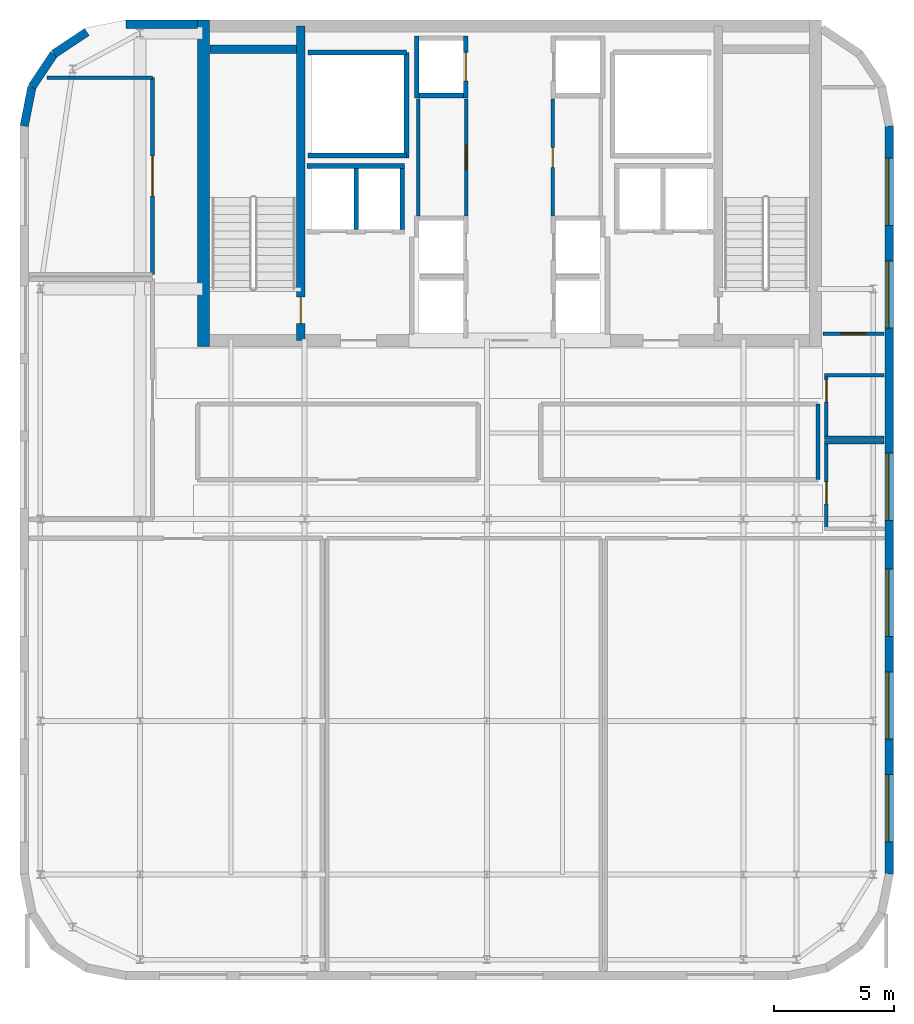
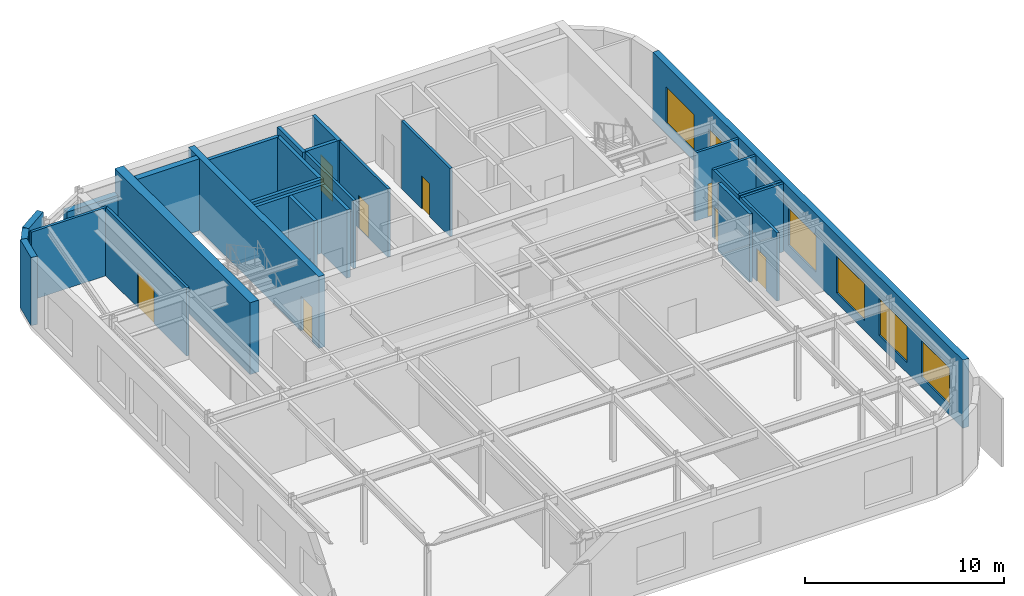
# One storey, part 8 of 10: 29 walls, 8 doors, 6 windows, 14 openings.
"""IFC4 building model written with IfcOpenShell, lengths in metres."""

from ifc_helpers import new_model, si_unit, direction, frame, frame_2d, origin, place, context, subcontext, project, spatial, rectangle, extrude, source, transform, mapped, material, layer, layer_set, type_object, type_shapes, element, fill, save


model = new_model("IFC4")

# Units and contexts
model_context = context("Model", 3, precision=1e-05, world=origin(), true_north=direction((0.0, 1.0)))
body_context = subcontext(model_context, "Body", "Model", "MODEL_VIEW")
ifc_project = project(units=[si_unit("LENGTHUNIT", "METRE"), si_unit("AREAUNIT", "SQUARE_METRE"), si_unit("VOLUMEUNIT", "CUBIC_METRE"), si_unit("PLANEANGLEUNIT", "RADIAN"), si_unit("MASSUNIT", "GRAM", prefix="KILO")], contexts=[model_context])

# Site, building, storey
site_placement = place(None, origin())
site = spatial("IfcSite", under=ifc_project, at=site_placement, CompositionType="ELEMENT")
building_placement = place(site_placement, origin())
building = spatial("IfcBuilding", under=site, at=building_placement, Name="Tolvann Quenvar Hotel", CompositionType="ELEMENT")
storey_placement = place(building_placement, frame((0.0, 0.0, 282.14990234375)))
storey = spatial("IfcBuildingStorey", under=building, at=storey_placement, Name="L75", CompositionType="ELEMENT", Elevation=282.14990234375)

# Wall
ifc_material_1 = material(Name="Concrete N50 (50 MPa)", Category="concrete")
ifc_layer_1 = layer(ifc_material_1, 0.5)
ifc_layer_set_1 = layer_set([ifc_layer_1], Name="Concrete N50 (50 MPa)")
wall_type_1 = type_object("IfcWallType", Name="WALL_CORE_500", PredefinedType="SHEAR", material=ifc_layer_set_1)
wall_1_placement = place(storey_placement, frame((10.25, 31.60009765625, 0.0), z_axis=(0.0, 0.0, 1.0), x_axis=(0.0, 1.0, 0.0)))
element("IfcWall", 1, at=wall_1_placement, inside=storey, type_object=wall_type_1, Name="Rear Core W Shear Wall (L75)", PredefinedType="SHEAR", context=body_context, shape_type="SweptSolid", body=[
    extrude(rectangle(XDim=13.599853515625, YDim=0.5, at=frame_2d((6.7998046875, 0.0))), origin(), (0.0, 0.0, 1.0), 4.400146484375),
])

# Wall, opening, door
ifc_material_2 = material(Name="Concrete S65 (65 MPa)", Category="concrete")
ifc_layer_2 = layer(ifc_material_2, 0.35009765625)
ifc_layer_set_2 = layer_set([ifc_layer_2], Name="Concrete S65 (65 MPa)")
wall_type_2 = type_object("IfcWallType", Name="WALL_CORE_INT_350", PredefinedType="SHEAR", material=ifc_layer_set_2)
wall_2_placement = place(storey_placement, frame((14.300048828125, 31.85009765625, 0.0), z_axis=(0.0, 0.0, 1.0), x_axis=(0.0, 1.0, 0.0)))
wall_2 = element("IfcWall", 2, at=wall_2_placement, inside=storey, type_object=wall_type_2, Name="Core Internal Web Shear Wall WEB-W (L75)", PredefinedType="SHEAR", context=body_context, shape_type="SweptSolid", body=[
    extrude(rectangle(XDim=13.099853515625, YDim=0.35009765625, at=frame_2d((6.5498046875, 0.0))), origin(), (0.0, 0.0, 1.0), 4.400146484375),
])
opening_1_placement = place(wall_2_placement, frame((0.699951171875, 0.0, 0.0)))
opening_1 = element("IfcOpeningElement", 3, at=opening_1_placement, cuts=wall_2, Name="Opening FD-120", PredefinedType="OPENING", context=body_context, shape_type="SweptSolid", body=[
    extrude(rectangle(XDim=1.10009765625, YDim=2.1201171875, at=frame_2d((0.550048828125, 1.06005859375))), frame((0.0, 0.18505859375, 0.0), z_axis=(0.0, -1.0, 0.0), x_axis=(1.0, 0.0, 0.0)), (0.0, 0.0, 1.0), 0.3701171875),
])
ifc_material_3 = material(Name="Pressed galvanised steel fire-rated door set", Category="steel")
door_type_1 = type_object("IfcDoorType", Name="DOOR_FIRE_STAIR_1100", OperationType="NOTDEFINED", PredefinedType="DOOR", material=ifc_material_3)
shared_shape_1 = source(origin(), body_context, "Body", "SweptSolid", [
    extrude(rectangle(XDim=1.10009765625, YDim=2.1201171875, at=frame_2d((0.550048828125, 1.06005859375))), frame((0.0, 0.02490234375, 0.0), z_axis=(0.0, -1.0, 0.0), x_axis=(1.0, 0.0, 0.0)), (0.0, 0.0, 1.0), 0.050048828125),
])
type_shapes(door_type_1, [shared_shape_1])
door_1_placement = place(opening_1_placement, origin())
door_1 = element("IfcDoor", 4, at=door_1_placement, inside=storey, type_object=door_type_1, Name="Exit Stair ST-C1 Fire Door (L75)", OperationType="SINGLE_SWING_LEFT", OverallHeight=2.1201171875, OverallWidth=1.10009765625, PredefinedType="DOOR", context=body_context, shape_type="MappedRepresentation", body=[
    mapped(shared_shape_1, transform((0.0, 0.0, 0.0), x_axis=(1.0, 0.0, 0.0), y_axis=(0.0, 1.0, 0.0), z_axis=(0.0, 0.0, 1.0), scale=1.0)),
])
fill(opening_1, door_1)

# Wall
wall_3_placement = place(storey_placement, frame((10.52001953125, 43.97509765625, 0.0), z_axis=(0.0, 0.0, 1.0), x_axis=(1.0, 0.0, 0.0)))
element("IfcWall", 5, at=wall_3_placement, inside=storey, type_object=wall_type_2, Name="Core Stair North Closing Shear Wall STC1-N (L75)", PredefinedType="SHEAR", context=body_context, shape_type="SweptSolid", body=[
    extrude(rectangle(XDim=3.60009765625, YDim=0.35009765625, at=frame_2d((1.800048828125, 0.0))), origin(), (0.0, 0.0, 1.0), 4.400146484375),
])

# Wall, openings, windows
ifc_material_4 = material(Name="Kiln-fired red and buff architectural clay brickwork and terracotta masonry", Category="masonry")
ifc_layer_3 = layer(ifc_material_4, 0.35009765625)
ifc_layer_set_3 = layer_set([ifc_layer_3], Name="Kiln-fired red and buff architectural clay brickwork and terracotta masonry")
wall_type_3 = type_object("IfcWallType", Name="WALL_EXT_BRICK_350", PredefinedType="SOLIDWALL", material=ifc_layer_set_3)
wall_4_placement = place(storey_placement, frame((38.824951171875, 9.6171875, 0.0), z_axis=(0.0, 0.0, 1.0), x_axis=(0.0, 1.0, 0.0)))
wall_4 = element("IfcWall", 6, at=wall_4_placement, inside=storey, type_object=wall_type_3, Name="Exterior Chicago Brick Wall L75-E09", PredefinedType="SOLIDWALL", context=body_context, shape_type="SweptSolid", body=[
    extrude(rectangle(XDim=31.16552734375, YDim=0.35009765625, at=frame_2d((15.582763671875, 0.0))), origin(), (0.0, 0.0, 1.0), 4.18017578125),
])
opening_2_placement = place(wall_4_placement, frame((1.340087890625, 0.0, 0.6201171875)))
opening_2 = element("IfcOpeningElement", 7, at=opening_2_placement, cuts=wall_4, Name="Opening W-07", PredefinedType="OPENING", context=body_context, shape_type="SweptSolid", body=[
    extrude(rectangle(XDim=2.800048828125, YDim=2.25, at=frame_2d((1.39990234375, 1.125))), frame((0.0, 0.18505859375, 0.0), z_axis=(0.0, -1.0, 0.0), x_axis=(1.0, 0.0, 0.0)), (0.0, 0.0, 1.0), 0.3701171875),
])
opening_3_placement = place(wall_4_placement, frame((5.62109375, 0.0, 0.6201171875)))
opening_3 = element("IfcOpeningElement", 8, at=opening_3_placement, cuts=wall_4, Name="Opening W-07", PredefinedType="OPENING", context=body_context, shape_type="SweptSolid", body=[
    extrude(rectangle(XDim=2.800048828125, YDim=2.25, at=frame_2d((1.39990234375, 1.125))), frame((0.0, 0.18505859375, 0.0), z_axis=(0.0, -1.0, 0.0), x_axis=(1.0, 0.0, 0.0)), (0.0, 0.0, 1.0), 0.3701171875),
])
opening_4_placement = place(wall_4_placement, frame((9.902099609375, 0.0, 0.6201171875)))
opening_4 = element("IfcOpeningElement", 9, at=opening_4_placement, cuts=wall_4, Name="Opening W-07", PredefinedType="OPENING", context=body_context, shape_type="SweptSolid", body=[
    extrude(rectangle(XDim=2.800048828125, YDim=2.25, at=frame_2d((1.39990234375, 1.125))), frame((0.0, 0.18505859375, 0.0), z_axis=(0.0, -1.0, 0.0), x_axis=(1.0, 0.0, 0.0)), (0.0, 0.0, 1.0), 0.3701171875),
])
opening_5_placement = place(wall_4_placement, frame((14.73291015625, 0.0, 0.6201171875)))
opening_5 = element("IfcOpeningElement", 10, at=opening_5_placement, cuts=wall_4, Name="Opening W-07", PredefinedType="OPENING", context=body_context, shape_type="SweptSolid", body=[
    extrude(rectangle(XDim=2.800048828125, YDim=2.25, at=frame_2d((1.39990234375, 1.125))), frame((0.0, 0.18505859375, 0.0), z_axis=(0.0, -1.0, 0.0), x_axis=(1.0, 0.0, 0.0)), (0.0, 0.0, 1.0), 0.3701171875),
])
opening_6_placement = place(wall_4_placement, frame((22.743896484375, 0.0, 0.6201171875)))
opening_6 = element("IfcOpeningElement", 11, at=opening_6_placement, cuts=wall_4, Name="Opening W-07", PredefinedType="OPENING", context=body_context, shape_type="SweptSolid", body=[
    extrude(rectangle(XDim=2.800048828125, YDim=2.25, at=frame_2d((1.39990234375, 1.125))), frame((0.0, 0.18505859375, 0.0), z_axis=(0.0, -1.0, 0.0), x_axis=(1.0, 0.0, 0.0)), (0.0, 0.0, 1.0), 0.3701171875),
])
opening_7_placement = place(wall_4_placement, frame((27.02490234375, 0.0, 0.6201171875)))
opening_7 = element("IfcOpeningElement", 12, at=opening_7_placement, cuts=wall_4, Name="Opening W-07", PredefinedType="OPENING", context=body_context, shape_type="SweptSolid", body=[
    extrude(rectangle(XDim=2.800048828125, YDim=2.25, at=frame_2d((1.39990234375, 1.125))), frame((0.0, 0.18505859375, 0.0), z_axis=(0.0, -1.0, 0.0), x_axis=(1.0, 0.0, 0.0)), (0.0, 0.0, 1.0), 0.3701171875),
])
ifc_material_5 = material(Name="Thermally broken bronze-anodised aluminium frame with double low-E glazing", Category="aluminium")
window_type = type_object("IfcWindowType", Name="WIN_OBS_2800x2350", PartitioningType="TRIPLE_PANEL_HORIZONTAL", PredefinedType="WINDOW", material=ifc_material_5)
shared_shape_2 = source(origin(), body_context, "Body", "SweptSolid", [
    extrude(rectangle(XDim=2.800048828125, YDim=2.25, at=frame_2d((1.39990234375, 1.125))), frame((0.0, 0.090087890625, 0.0), z_axis=(0.0, -1.0, 0.0), x_axis=(1.0, 0.0, 0.0)), (0.0, 0.0, 1.0), 0.06005859375),
])
type_shapes(window_type, [shared_shape_2])
window_1_placement = place(opening_2_placement, origin())
window_1 = element("IfcWindow", 13, at=window_1_placement, inside=storey, type_object=window_type, Name="Chicago Window W-07 (EW-L75-E09-W01)", OverallHeight=2.25, OverallWidth=2.800048828125, PartitioningType="TRIPLE_PANEL_HORIZONTAL", PredefinedType="WINDOW", context=body_context, shape_type="MappedRepresentation", body=[
    mapped(shared_shape_2, transform((0.0, 0.0, 0.0), x_axis=(1.0, 0.0, 0.0), y_axis=(0.0, 1.0, 0.0), z_axis=(0.0, 0.0, 1.0), scale=1.0)),
])
fill(opening_2, window_1)
window_2_placement = place(opening_3_placement, origin())
window_2 = element("IfcWindow", 14, at=window_2_placement, inside=storey, type_object=window_type, Name="Chicago Window W-07 (EW-L75-E09-W02)", OverallHeight=2.25, OverallWidth=2.800048828125, PartitioningType="TRIPLE_PANEL_HORIZONTAL", PredefinedType="WINDOW", context=body_context, shape_type="MappedRepresentation", body=[
    mapped(shared_shape_2, transform((0.0, 0.0, 0.0), x_axis=(1.0, 0.0, 0.0), y_axis=(0.0, 1.0, 0.0), z_axis=(0.0, 0.0, 1.0), scale=1.0)),
])
fill(opening_3, window_2)
window_3_placement = place(opening_4_placement, origin())
window_3 = element("IfcWindow", 15, at=window_3_placement, inside=storey, type_object=window_type, Name="Chicago Window W-07 (EW-L75-E09-W03)", OverallHeight=2.25, OverallWidth=2.800048828125, PartitioningType="TRIPLE_PANEL_HORIZONTAL", PredefinedType="WINDOW", context=body_context, shape_type="MappedRepresentation", body=[
    mapped(shared_shape_2, transform((0.0, 0.0, 0.0), x_axis=(1.0, 0.0, 0.0), y_axis=(0.0, 1.0, 0.0), z_axis=(0.0, 0.0, 1.0), scale=1.0)),
])
fill(opening_4, window_3)
window_4_placement = place(opening_5_placement, origin())
window_4 = element("IfcWindow", 16, at=window_4_placement, inside=storey, type_object=window_type, Name="Chicago Window W-07 (EW-L75-E09-W04)", OverallHeight=2.25, OverallWidth=2.800048828125, PartitioningType="TRIPLE_PANEL_HORIZONTAL", PredefinedType="WINDOW", context=body_context, shape_type="MappedRepresentation", body=[
    mapped(shared_shape_2, transform((0.0, 0.0, 0.0), x_axis=(1.0, 0.0, 0.0), y_axis=(0.0, 1.0, 0.0), z_axis=(0.0, 0.0, 1.0), scale=1.0)),
])
fill(opening_5, window_4)
window_5_placement = place(opening_6_placement, origin())
window_5 = element("IfcWindow", 17, at=window_5_placement, inside=storey, type_object=window_type, Name="Chicago Window W-07 (EW-L75-E09-W05)", OverallHeight=2.25, OverallWidth=2.800048828125, PartitioningType="TRIPLE_PANEL_HORIZONTAL", PredefinedType="WINDOW", context=body_context, shape_type="MappedRepresentation", body=[
    mapped(shared_shape_2, transform((0.0, 0.0, 0.0), x_axis=(1.0, 0.0, 0.0), y_axis=(0.0, 1.0, 0.0), z_axis=(0.0, 0.0, 1.0), scale=1.0)),
])
fill(opening_6, window_5)
window_6_placement = place(opening_7_placement, origin())
window_6 = element("IfcWindow", 18, at=window_6_placement, inside=storey, type_object=window_type, Name="Chicago Window W-07 (EW-L75-E09-W06)", OverallHeight=2.25, OverallWidth=2.800048828125, PartitioningType="TRIPLE_PANEL_HORIZONTAL", PredefinedType="WINDOW", context=body_context, shape_type="MappedRepresentation", body=[
    mapped(shared_shape_2, transform((0.0, 0.0, 0.0), x_axis=(1.0, 0.0, 0.0), y_axis=(0.0, 1.0, 0.0), z_axis=(0.0, 0.0, 1.0), scale=1.0)),
])
fill(opening_7, window_6)

# Walls
wall_5_placement = place(storey_placement, frame((9.99609375, 45.02490234375, 0.0), z_axis=(0.0, 0.0, 1.0), x_axis=(-1.0, 0.0, 0.0)))
element("IfcWall", 19, at=wall_5_placement, inside=storey, type_object=wall_type_3, Name="Exterior Chicago Brick Wall L75-E14NW", PredefinedType="SOLIDWALL", context=body_context, shape_type="SweptSolid", body=[
    extrude(rectangle(XDim=2.97900390625, YDim=0.35009765625, at=frame_2d((1.489501953125, 0.0))), origin(), (0.0, 0.0, 1.0), 2.97021484375),
])
for number, where, z_axis, x_axis, name in (
    (20, (5.384521484375, 44.7001953125, 0.0), (0.0, 0.0, 1.0), (-0.831502623162, -0.555520825599, 0.0), "Exterior Chicago Brick Wall L75-E16"),
    (21, (4.014892578125, 43.78515625, 0.0), (0.0, 0.0, 1.0), (-0.555623290322, -0.831434158098, 0.0), "Exterior Chicago Brick Wall L75-E17"),
):
    element("IfcWall", number, at=place(storey_placement, frame(where, z_axis=z_axis, x_axis=x_axis)), inside=storey, type_object=wall_type_3, Name=name, PredefinedType="SOLIDWALL", context=body_context, shape_type="SweptSolid", body=[
        extrude(rectangle(XDim=1.647216796875, YDim=0.35009765625, at=frame_2d((0.82373046875, 0.0))), origin(), (0.0, 0.0, 1.0), 3.710205078125),
    ])
wall_6_placement = place(storey_placement, frame((3.099609375, 42.41552734375, 0.0), z_axis=(0.0, 0.0, 1.0), x_axis=(-0.195044345786, -0.980794424524, 0.0)))
element("IfcWall", 22, at=wall_6_placement, inside=storey, type_object=wall_type_3, Name="Exterior Chicago Brick Wall L75-E18", PredefinedType="SOLIDWALL", context=body_context, shape_type="SweptSolid", body=[
    extrude(rectangle(XDim=1.664794921875, YDim=0.35009765625, at=frame_2d((0.83251953125, 0.0))), origin(), (0.0, 0.0, 1.0), 4.18017578125),
])
ifc_material_6 = material(Name="Acoustic twin-stud fire-rated gypsum plasterboard partition")
ifc_layer_4 = layer(ifc_material_6, 0.179931640625)
ifc_layer_set_4 = layer_set([ifc_layer_4], Name="Acoustic twin-stud fire-rated gypsum plasterboard partition")
wall_type_4 = type_object("IfcWallType", Name="WALL_PART_ACOUSTIC_180", PredefinedType="PARTITIONING", material=ifc_layer_set_4)
wall_7_placement = place(storey_placement, frame((35.85009765625, 26.050048828125, 0.0), z_axis=(0.0, 0.0, 1.0), x_axis=(0.0, 1.0, 0.0)))
element("IfcWall", 23, at=wall_7_placement, inside=storey, type_object=wall_type_4, Name="Interior Partition PT-SPC-L75-SKY2-E", PredefinedType="PARTITIONING", context=body_context, shape_type="SweptSolid", body=[
    extrude(rectangle(XDim=3.14990234375, YDim=0.179931640625, at=frame_2d((1.574951171875, 0.0))), origin(), (0.0, 0.0, 1.0), 4.18017578125),
])
ifc_layer_5 = layer(ifc_material_6, 0.14990234375)
ifc_layer_set_5 = layer_set([ifc_layer_5], Name="Acoustic twin-stud fire-rated gypsum plasterboard partition")
wall_type_5 = type_object("IfcWallType", Name="WALL_PART_SUITE_150", PredefinedType="PARTITIONING", material=ifc_layer_set_5)
wall_8_placement = place(storey_placement, frame((19.199951171875, 37.0400390625, 0.0), z_axis=(0.0, 0.0, 1.0), x_axis=(0.0, 1.0, 0.0)))
element("IfcWall", 24, at=wall_8_placement, inside=storey, type_object=wall_type_5, Name="Interior Partition PT-SPC-L75-RECPM-W-W", PredefinedType="PARTITIONING", context=body_context, shape_type="SweptSolid", body=[
    extrude(rectangle(XDim=4.85986328125, YDim=0.14990234375, at=frame_2d((2.429931640625, 0.0))), origin(), (0.0, 0.0, 1.0), 4.18017578125),
])

# Wall, opening, door
wall_9_placement = place(storey_placement, frame((21.199951171875, 37.0400390625, 0.0), z_axis=(0.0, 0.0, 1.0), x_axis=(0.0, 1.0, 0.0)))
wall_9 = element("IfcWall", 25, at=wall_9_placement, inside=storey, type_object=wall_type_5, Name="Interior Partition PT-SPC-L75-RECPM-W-E", PredefinedType="PARTITIONING", context=body_context, shape_type="SweptSolid", body=[
    extrude(rectangle(XDim=4.85986328125, YDim=0.14990234375, at=frame_2d((2.429931640625, 0.0))), origin(), (0.0, 0.0, 1.0), 4.18017578125),
])
opening_8_placement = place(wall_9_placement, frame((1.919921875, 0.0, 0.0)))
opening_8 = element("IfcOpeningElement", 26, at=opening_8_placement, cuts=wall_9, Name="Opening HD-01", PredefinedType="OPENING", context=body_context, shape_type="SweptSolid", body=[
    extrude(rectangle(XDim=1.02001953125, YDim=2.030029296875, at=frame_2d((0.510009765625, 1.01513671875))), frame((0.0, 0.0849609375, 0.0), z_axis=(0.0, -1.0, 0.0), x_axis=(1.0, 0.0, 0.0)), (0.0, 0.0, 1.0), 0.169921875),
])
door_type_2 = type_object("IfcDoorType", Name="DOOR_BOH_1020", OperationType="NOTDEFINED", PredefinedType="DOOR", material=ifc_material_3)
shared_shape_3 = source(origin(), body_context, "Body", "SweptSolid", [
    extrude(rectangle(XDim=1.02001953125, YDim=2.030029296875, at=frame_2d((0.510009765625, 1.01513671875))), frame((0.0, 0.02490234375, 0.0), z_axis=(0.0, -1.0, 0.0), x_axis=(1.0, 0.0, 0.0)), (0.0, 0.0, 1.0), 0.050048828125),
])
type_shapes(door_type_2, [shared_shape_3])
door_2_placement = place(opening_8_placement, origin())
door_2 = element("IfcDoor", 27, at=door_2_placement, inside=storey, type_object=door_type_2, Name="Interior Door DOOR-SPC-L75-RECPM-W", OperationType="SINGLE_SWING_LEFT", OverallHeight=2.030029296875, OverallWidth=1.02001953125, PredefinedType="DOOR", context=body_context, shape_type="MappedRepresentation", body=[
    mapped(shared_shape_3, transform((0.0, 0.0, 0.0), x_axis=(1.0, 0.0, 0.0), y_axis=(0.0, 1.0, 0.0), z_axis=(0.0, 0.0, 1.0), scale=1.0)),
])
fill(opening_8, door_2)

wall_10_placement = place(storey_placement, frame((24.800048828125, 37.0400390625, 0.0), z_axis=(0.0, 0.0, 1.0), x_axis=(0.0, 1.0, 0.0)))
wall_10 = element("IfcWall", 28, at=wall_10_placement, inside=storey, type_object=wall_type_5, Name="Interior Partition PT-SPC-L75-RECPM-E-W", PredefinedType="PARTITIONING", context=body_context, shape_type="SweptSolid", body=[
    extrude(rectangle(XDim=4.85986328125, YDim=0.14990234375, at=frame_2d((2.429931640625, 0.0))), origin(), (0.0, 0.0, 1.0), 4.18017578125),
])
opening_9_placement = place(wall_10_placement, frame((2.02001953125, 0.0, 0.0)))
opening_9 = element("IfcOpeningElement", 29, at=opening_9_placement, cuts=wall_10, Name="Opening HD-02", PredefinedType="OPENING", context=body_context, shape_type="SweptSolid", body=[
    extrude(rectangle(XDim=0.820068359375, YDim=2.010009765625, at=frame_2d((0.41015625, 1.0048828125))), frame((0.0, 0.0849609375, 0.0), z_axis=(0.0, -1.0, 0.0), x_axis=(1.0, 0.0, 0.0)), (0.0, 0.0, 1.0), 0.169921875),
])
door_type_3 = type_object("IfcDoorType", Name="DOOR_STORE_820", OperationType="NOTDEFINED", PredefinedType="DOOR", material=ifc_material_3)
shared_shape_4 = source(origin(), body_context, "Body", "SweptSolid", [
    extrude(rectangle(XDim=0.820068359375, YDim=2.010009765625, at=frame_2d((0.41015625, 1.0048828125))), frame((0.0, 0.02490234375, 0.0), z_axis=(0.0, -1.0, 0.0), x_axis=(1.0, 0.0, 0.0)), (0.0, 0.0, 1.0), 0.050048828125),
])
type_shapes(door_type_3, [shared_shape_4])
door_3_placement = place(opening_9_placement, origin())
door_3 = element("IfcDoor", 30, at=door_3_placement, inside=storey, type_object=door_type_3, Name="Interior Door DOOR-SPC-L75-RECPM-E", OperationType="SINGLE_SWING_RIGHT", OverallHeight=2.010009765625, OverallWidth=0.820068359375, PredefinedType="DOOR", context=body_context, shape_type="MappedRepresentation", body=[
    mapped(shared_shape_4, transform((0.0, 0.0, 0.0), x_axis=(1.0, 0.0, 0.0), y_axis=(0.0, 1.0, 0.0), z_axis=(0.0, 0.0, 1.0), scale=1.0)),
])
fill(opening_9, door_3)

wall_11_placement = place(storey_placement, frame((36.054931640625, 32.1201171875, 0.0), z_axis=(0.0, 0.0, 1.0), x_axis=(1.0, 0.0, 0.0)))
wall_11 = element("IfcWall", 31, at=wall_11_placement, inside=storey, type_object=wall_type_5, Name="Interior Partition PT-SPC-L75-RECPL-S", PredefinedType="PARTITIONING", context=body_context, shape_type="SweptSolid", body=[
    extrude(rectangle(XDim=2.5400390625, YDim=0.14990234375, at=frame_2d((1.27001953125, 0.0))), origin(), (0.0, 0.0, 1.0), 4.18017578125),
])
opening_10_placement = place(wall_11_placement, frame((0.760009765625, 0.0, 0.0)))
opening_10 = element("IfcOpeningElement", 32, at=opening_10_placement, cuts=wall_11, Name="Opening HD-01", PredefinedType="OPENING", context=body_context, shape_type="SweptSolid", body=[
    extrude(rectangle(XDim=1.02001953125, YDim=2.030029296875, at=frame_2d((0.510009765625, 1.01513671875))), frame((0.0, 0.0849609375, 0.0), z_axis=(0.0, -1.0, 0.0), x_axis=(1.0, 0.0, 0.0)), (0.0, 0.0, 1.0), 0.169921875),
])
door_4_placement = place(opening_10_placement, origin())
door_4 = element("IfcDoor", 33, at=door_4_placement, inside=storey, type_object=door_type_2, Name="Interior Door DOOR-SPC-L75-RECPL", OperationType="SINGLE_SWING_LEFT", OverallHeight=2.030029296875, OverallWidth=1.02001953125, PredefinedType="DOOR", context=body_context, shape_type="MappedRepresentation", body=[
    mapped(shared_shape_3, transform((0.0, 0.0, 0.0), x_axis=(1.0, 0.0, 0.0), y_axis=(0.0, 1.0, 0.0), z_axis=(0.0, 0.0, 1.0), scale=1.0)),
])
fill(opening_10, door_4)

# Wall
wall_12_placement = place(storey_placement, frame((3.73193359375, 42.800048828125, 0.0), z_axis=(0.0, 0.0, 1.0), x_axis=(1.0, 0.0, 0.0)))
element("IfcWall", 34, at=wall_12_placement, inside=storey, type_object=wall_type_5, Name="Interior Partition PT-SPC-L75-GIFT-N", PredefinedType="PARTITIONING", context=body_context, shape_type="SweptSolid", body=[
    extrude(rectangle(XDim=4.38818359375, YDim=0.14990234375, at=frame_2d((2.194091796875, 0.0))), origin(), (0.0, 0.0, 1.0), 4.18017578125),
])

# Wall, opening, door
wall_13_placement = place(storey_placement, frame((8.1201171875, 34.60009765625, 0.0), z_axis=(0.0, 0.0, 1.0), x_axis=(0.0, 1.0, 0.0)))
wall_13 = element("IfcWall", 35, at=wall_13_placement, inside=storey, type_object=wall_type_5, Name="Interior Partition PT-SPC-L75-GIFT-E", PredefinedType="PARTITIONING", context=body_context, shape_type="SweptSolid", body=[
    extrude(rectangle(XDim=8.199951171875, YDim=0.14990234375, at=frame_2d((4.10009765625, 0.0))), origin(), (0.0, 0.0, 1.0), 4.18017578125),
])
opening_11_placement = place(wall_13_placement, frame((3.27490234375, 0.0, 0.0)))
opening_11 = element("IfcOpeningElement", 36, at=opening_11_placement, cuts=wall_13, Name="Opening AD-01", PredefinedType="OPENING", context=body_context, shape_type="SweptSolid", body=[
    extrude(rectangle(XDim=1.64990234375, YDim=2.14990234375, at=frame_2d((0.824951171875, 1.074951171875))), frame((0.0, 0.0849609375, 0.0), z_axis=(0.0, -1.0, 0.0), x_axis=(1.0, 0.0, 0.0)), (0.0, 0.0, 1.0), 0.169921875),
])
ifc_material_7 = material(Name="Solid-core American oak acoustic fire door leaf in steel frame", Category="steel")
door_type_4 = type_object("IfcDoorType", Name="DOOR_SALON_1650", OperationType="NOTDEFINED", PredefinedType="DOOR", material=ifc_material_7)
shared_shape_5 = source(origin(), body_context, "Body", "SweptSolid", [
    extrude(rectangle(XDim=1.64990234375, YDim=2.14990234375, at=frame_2d((0.824951171875, 1.074951171875))), frame((0.0, 0.02490234375, 0.0), z_axis=(0.0, -1.0, 0.0), x_axis=(1.0, 0.0, 0.0)), (0.0, 0.0, 1.0), 0.050048828125),
])
type_shapes(door_type_4, [shared_shape_5])
door_5_placement = place(opening_11_placement, origin())
door_5 = element("IfcDoor", 37, at=door_5_placement, inside=storey, type_object=door_type_4, Name="Interior Door DOOR-SPC-L75-GIFT", OperationType="DOUBLE_DOOR_SINGLE_SWING", OverallHeight=2.14990234375, OverallWidth=1.64990234375, PredefinedType="DOOR", context=body_context, shape_type="MappedRepresentation", body=[
    mapped(shared_shape_5, transform((0.0, 0.0, 0.0), x_axis=(1.0, 0.0, 0.0), y_axis=(0.0, 1.0, 0.0), z_axis=(0.0, 0.0, 1.0), scale=1.0)),
])
fill(opening_11, door_5)

# Wall
wall_14_placement = place(storey_placement, frame((36.1298828125, 27.60009765625, 0.0), z_axis=(0.0, 0.0, 1.0), x_axis=(1.0, 0.0, 0.0)))
element("IfcWall", 38, at=wall_14_placement, inside=storey, type_object=wall_type_5, Name="Interior Partition PT-SPC-L75-WC1-N", PredefinedType="PARTITIONING", context=body_context, shape_type="SweptSolid", body=[
    extrude(rectangle(XDim=2.465087890625, YDim=0.14990234375, at=frame_2d((1.232421875, 0.0))), origin(), (0.0, 0.0, 1.0), 4.18017578125),
])

# Wall, opening, door
wall_15_placement = place(storey_placement, frame((36.199951171875, 23.929931640625, 0.0), z_axis=(0.0, 0.0, 1.0), x_axis=(0.0, 1.0, 0.0)))
wall_15 = element("IfcWall", 39, at=wall_15_placement, inside=storey, type_object=wall_type_5, Name="Interior Partition PT-SPC-L75-WC1-W", PredefinedType="PARTITIONING", context=body_context, shape_type="SweptSolid", body=[
    extrude(rectangle(XDim=3.739990234375, YDim=0.14990234375, at=frame_2d((1.8701171875, 0.0))), origin(), (0.0, 0.0, 1.0), 4.18017578125),
])
opening_12_placement = place(wall_15_placement, frame((1.110107421875, 0.0, 0.0)))
opening_12 = element("IfcOpeningElement", 40, at=opening_12_placement, cuts=wall_15, Name="Opening WD-01", PredefinedType="OPENING", context=body_context, shape_type="SweptSolid", body=[
    extrude(rectangle(XDim=0.919921875, YDim=2.010009765625, at=frame_2d((0.4599609375, 1.0048828125))), frame((0.0, 0.0849609375, 0.0), z_axis=(0.0, -1.0, 0.0), x_axis=(1.0, 0.0, 0.0)), (0.0, 0.0, 1.0), 0.169921875),
])
door_type_5 = type_object("IfcDoorType", Name="DOOR_WC_920", OperationType="NOTDEFINED", PredefinedType="DOOR", material=ifc_material_7)
shared_shape_6 = source(origin(), body_context, "Body", "SweptSolid", [
    extrude(rectangle(XDim=0.919921875, YDim=2.010009765625, at=frame_2d((0.4599609375, 1.0048828125))), frame((0.0, 0.02490234375, 0.0), z_axis=(0.0, -1.0, 0.0), x_axis=(1.0, 0.0, 0.0)), (0.0, 0.0, 1.0), 0.050048828125),
])
type_shapes(door_type_5, [shared_shape_6])
door_6_placement = place(opening_12_placement, origin())
door_6 = element("IfcDoor", 41, at=door_6_placement, inside=storey, type_object=door_type_5, Name="Interior Door DOOR-SPC-L75-WC1", OperationType="SINGLE_SWING_RIGHT", OverallHeight=2.010009765625, OverallWidth=0.919921875, PredefinedType="DOOR", context=body_context, shape_type="MappedRepresentation", body=[
    mapped(shared_shape_6, transform((0.0, 0.0, 0.0), x_axis=(1.0, 0.0, 0.0), y_axis=(0.0, 1.0, 0.0), z_axis=(0.0, 0.0, 1.0), scale=1.0)),
])
fill(opening_12, door_6)

# Walls
for number, where, z_axis, x_axis, name in (
    (42, (36.1298828125, 27.800048828125, 0.0), (0.0, 0.0, 1.0), (1.0, 0.0, 0.0), "Interior Partition PT-SPC-L75-WCA-S"),
    (43, (36.1298828125, 30.39990234375, 0.0), (0.0, 0.0, 1.0), (1.0, 0.0, 0.0), "Interior Partition PT-SPC-L75-WCA-N"),
):
    element("IfcWall", number, at=place(storey_placement, frame(where, z_axis=z_axis, x_axis=x_axis)), inside=storey, type_object=wall_type_5, Name=name, PredefinedType="PARTITIONING", context=body_context, shape_type="SweptSolid", body=[
        extrude(rectangle(XDim=2.465087890625, YDim=0.14990234375, at=frame_2d((1.232421875, 0.0))), origin(), (0.0, 0.0, 1.0), 4.18017578125),
    ])

# Wall, opening, door
wall_16_placement = place(storey_placement, frame((36.199951171875, 27.72998046875, 0.0), z_axis=(0.0, 0.0, 1.0), x_axis=(0.0, 1.0, 0.0)))
wall_16 = element("IfcWall", 44, at=wall_16_placement, inside=storey, type_object=wall_type_5, Name="Interior Partition PT-SPC-L75-WCA-W", PredefinedType="PARTITIONING", context=body_context, shape_type="SweptSolid", body=[
    extrude(rectangle(XDim=2.739990234375, YDim=0.14990234375, at=frame_2d((1.3701171875, 0.0))), origin(), (0.0, 0.0, 1.0), 4.18017578125),
])
opening_13_placement = place(wall_16_placement, frame((1.550048828125, 0.0, 0.0)))
opening_13 = element("IfcOpeningElement", 45, at=opening_13_placement, cuts=wall_16, Name="Opening WD-01", PredefinedType="OPENING", context=body_context, shape_type="SweptSolid", body=[
    extrude(rectangle(XDim=0.919921875, YDim=2.010009765625, at=frame_2d((0.4599609375, 1.0048828125))), frame((0.0, 0.0849609375, 0.0), z_axis=(0.0, -1.0, 0.0), x_axis=(1.0, 0.0, 0.0)), (0.0, 0.0, 1.0), 0.169921875),
])
door_7_placement = place(opening_13_placement, origin())
door_7 = element("IfcDoor", 46, at=door_7_placement, inside=storey, type_object=door_type_5, Name="Interior Door DOOR-SPC-L75-WCA", OperationType="SINGLE_SWING_LEFT", OverallHeight=2.010009765625, OverallWidth=0.919921875, PredefinedType="DOOR", context=body_context, shape_type="MappedRepresentation", body=[
    mapped(shared_shape_6, transform((0.0, 0.0, 0.0), x_axis=(1.0, 0.0, 0.0), y_axis=(0.0, 1.0, 0.0), z_axis=(0.0, 0.0, 1.0), scale=1.0)),
])
fill(opening_13, door_7)

# Walls
ifc_material_8 = material(Name="Concrete N40 (40 MPa)", Category="concrete")
ifc_layer_6 = layer(ifc_material_8, 0.199951171875)
ifc_layer_set_6 = layer_set([ifc_layer_6], Name="Concrete N40 (40 MPa)")
wall_type_6 = type_object("IfcWallType", Name="WALL_SHAFT_200", PredefinedType="SOLIDWALL", material=ifc_layer_set_6)
wall_17_placement = place(storey_placement, frame((18.699951171875, 39.449951171875, 0.0), z_axis=(0.0, 0.0, 1.0), x_axis=(0.0, 1.0, 0.0)))
element("IfcWall", 47, at=wall_17_placement, inside=storey, type_object=wall_type_6, Name="Service Riser W Shaft Wall IN (L75)", PredefinedType="SOLIDWALL", context=body_context, shape_type="SweptSolid", body=[
    extrude(rectangle(XDim=4.400146484375, YDim=0.199951171875, at=frame_2d((2.2001953125, 0.0))), origin(), (0.0, 0.0, 1.0), 4.18017578125),
])
for number, where, z_axis, x_axis, name in (
    (48, (14.60009765625, 39.550048828125, 0.0), (0.0, 0.0, 1.0), (1.0, 0.0, 0.0), "Service Riser W Shaft Wall S (L75)"),
    (49, (14.60009765625, 43.85009765625, 0.0), (0.0, 0.0, 1.0), (1.0, 0.0, 0.0), "Service Riser W Shaft Wall N (L75)"),
):
    element("IfcWall", number, at=place(storey_placement, frame(where, z_axis=z_axis, x_axis=x_axis)), inside=storey, type_object=wall_type_6, Name=name, PredefinedType="SOLIDWALL", context=body_context, shape_type="SweptSolid", body=[
        extrude(rectangle(XDim=4.099853515625, YDim=0.199951171875, at=frame_2d((2.0498046875, 0.0))), origin(), (0.0, 0.0, 1.0), 4.18017578125),
    ])

# Wall, opening, door
wall_18_placement = place(storey_placement, frame((21.169921875, 41.9599609375, 0.0), z_axis=(0.0, 0.0, 1.0), x_axis=(0.0, 1.0, 0.0)))
wall_18 = element("IfcWall", 50, at=wall_18_placement, inside=storey, type_object=wall_type_6, Name="Lift Bank E21.1C2 Hoistway Front Wall (L75)", PredefinedType="SOLIDWALL", context=body_context, shape_type="SweptSolid", body=[
    extrude(rectangle(XDim=2.580078125, YDim=0.199951171875, at=frame_2d((1.2900390625, 0.0))), origin(), (0.0, 0.0, 1.0), 4.18017578125),
])
opening_14_placement = place(wall_18_placement, frame((0.68994140625, 0.0, 0.0)))
opening_14 = element("IfcOpeningElement", 51, at=opening_14_placement, cuts=wall_18, Name="Opening LD-02", PredefinedType="OPENING", context=body_context, shape_type="SweptSolid", body=[
    extrude(rectangle(XDim=1.199951171875, YDim=2.14990234375, at=frame_2d((0.60009765625, 1.074951171875))), frame((0.0, 0.10986328125, 0.0), z_axis=(0.0, -1.0, 0.0), x_axis=(1.0, 0.0, 0.0)), (0.0, 0.0, 1.0), 0.219970703125),
])
ifc_material_9 = material(Name="Brushed 316 stainless steel automatic sliding lift landing door", Category="steel")
door_type_6 = type_object("IfcDoorType", Name="DOOR_LIFT_OBS_1200", OperationType="NOTDEFINED", PredefinedType="DOOR", material=ifc_material_9)
shared_shape_7 = source(origin(), body_context, "Body", "SweptSolid", [
    extrude(rectangle(XDim=1.199951171875, YDim=2.14990234375, at=frame_2d((0.60009765625, 1.074951171875))), frame((0.0, 0.02490234375, 0.0), z_axis=(0.0, -1.0, 0.0), x_axis=(1.0, 0.0, 0.0)), (0.0, 0.0, 1.0), 0.050048828125),
])
type_shapes(door_type_6, [shared_shape_7])
door_8_placement = place(opening_14_placement, origin())
door_8 = element("IfcDoor", 52, at=door_8_placement, inside=storey, type_object=door_type_6, Name="Lift OB-1 Sliding Landing Door (L75)", OperationType="SLIDING_TO_RIGHT", OverallHeight=2.14990234375, OverallWidth=1.199951171875, PredefinedType="DOOR", context=body_context, shape_type="MappedRepresentation", body=[
    mapped(shared_shape_7, transform((0.0, 0.0, 0.0), x_axis=(1.0, 0.0, 0.0), y_axis=(0.0, 1.0, 0.0), z_axis=(0.0, 0.0, 1.0), scale=1.0)),
])
fill(opening_14, door_8)

# Walls
wall_19_placement = place(storey_placement, frame((19.1298828125, 41.9599609375, 0.0), z_axis=(0.0, 0.0, 1.0), x_axis=(0.0, 1.0, 0.0)))
element("IfcWall", 53, at=wall_19_placement, inside=storey, type_object=wall_type_6, Name="Lift Bank E21.1C2 Hoistway Rear Wall (L75)", PredefinedType="SOLIDWALL", context=body_context, shape_type="SweptSolid", body=[
    extrude(rectangle(XDim=2.580078125, YDim=0.199951171875, at=frame_2d((1.2900390625, 0.0))), origin(), (0.0, 0.0, 1.0), 4.18017578125),
])
wall_20_placement = place(storey_placement, frame((19.22998046875, 42.06005859375, 0.0), z_axis=(0.0, 0.0, 1.0), x_axis=(1.0, 0.0, 0.0)))
element("IfcWall", 54, at=wall_20_placement, inside=storey, type_object=wall_type_6, Name="Lift Bank E21.1C2 Hoistway Cheek Wall 1 (L75)", PredefinedType="SOLIDWALL", context=body_context, shape_type="SweptSolid", body=[
    extrude(rectangle(XDim=1.840087890625, YDim=0.199951171875, at=frame_2d((0.919921875, 0.0))), origin(), (0.0, 0.0, 1.0), 4.18017578125),
])
wall_21_placement = place(storey_placement, frame((14.550048828125, 39.1201171875, 0.0), z_axis=(0.0, 0.0, 1.0), x_axis=(1.0, 0.0, 0.0)))
element("IfcWall", 55, at=wall_21_placement, inside=storey, type_object=wall_type_6, Name="Lift Bank SWC1 Hoistway Rear Wall (L75)", PredefinedType="SOLIDWALL", context=body_context, shape_type="SweptSolid", body=[
    extrude(rectangle(XDim=4.074951171875, YDim=0.199951171875, at=frame_2d((2.03759765625, 0.0))), origin(), (0.0, 0.0, 1.0), 4.18017578125),
])
for number, where, z_axis, x_axis, name in (
    (56, (18.52490234375, 36.47998046875, 0.0), (0.0, 0.0, 1.0), (0.0, 1.0, 0.0), "Lift Bank SWC1 Hoistway Cheek Wall 2 (L75)"),
    (57, (16.612548828125, 36.47998046875, 0.0), (0.0, 0.0, 1.0), (0.0, 1.0, 0.0), "Lift Bank SWC1 Divider Wall 1 (L75)"),
):
    element("IfcWall", number, at=place(storey_placement, frame(where, z_axis=z_axis, x_axis=x_axis)), inside=storey, type_object=wall_type_6, Name=name, PredefinedType="SOLIDWALL", context=body_context, shape_type="SweptSolid", body=[
        extrude(rectangle(XDim=2.5400390625, YDim=0.199951171875, at=frame_2d((1.27001953125, 0.0))), origin(), (0.0, 0.0, 1.0), 4.18017578125),
    ])

save(model, "model.ifc")
